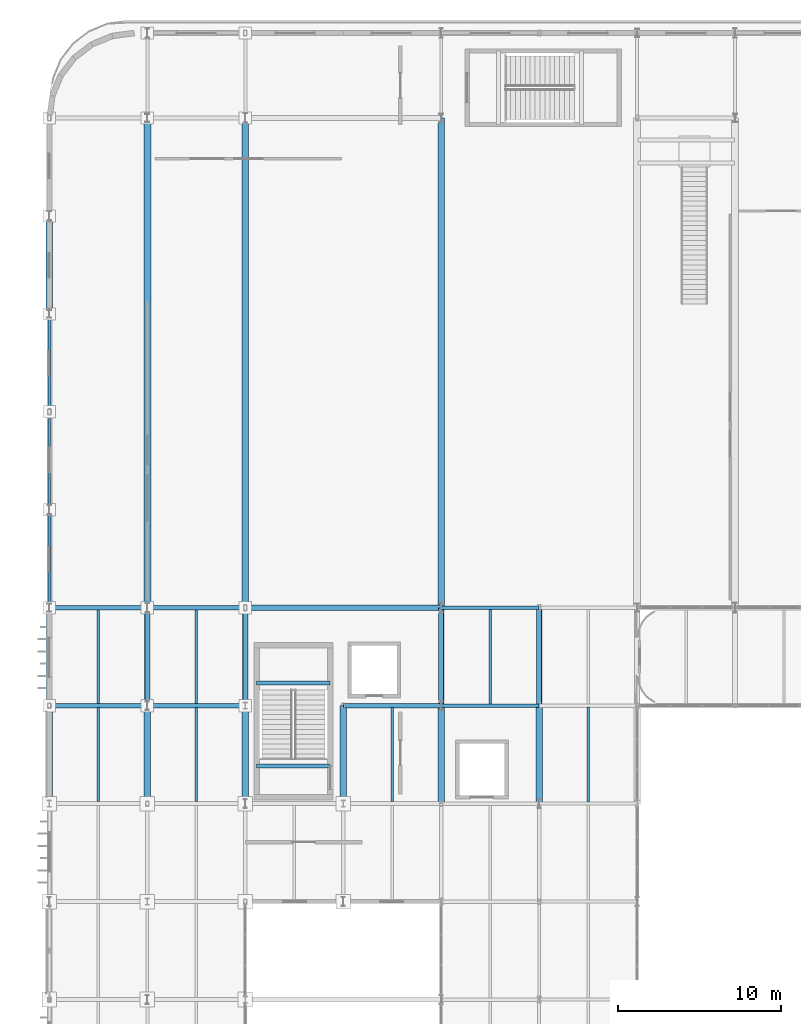
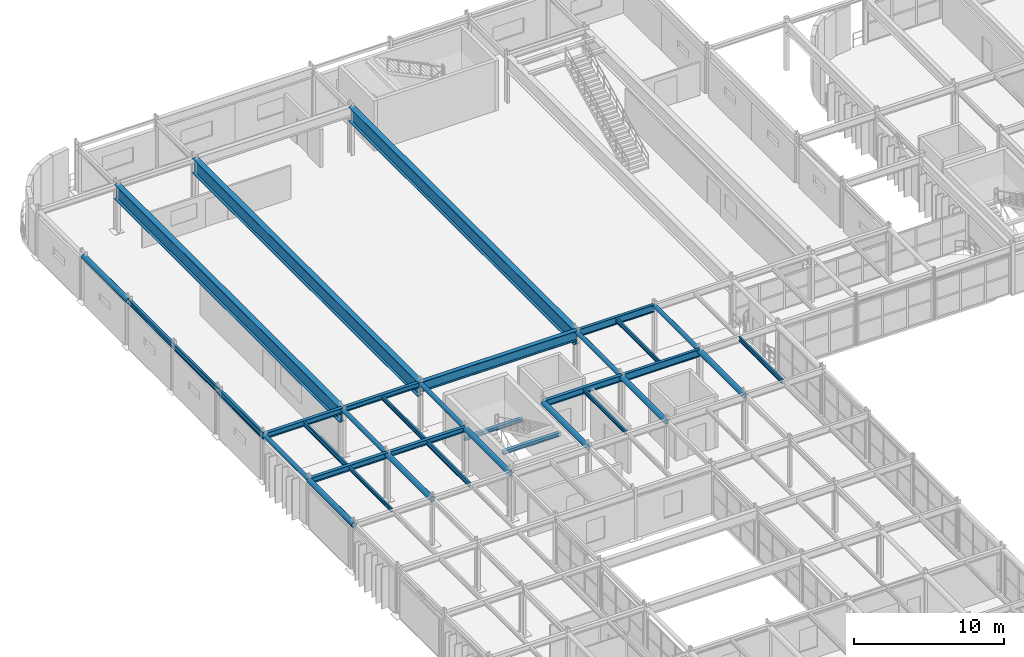
# One storey, part 62 of 116: 35 beams.
"""IFC4 building model written with IfcOpenShell, lengths in metres."""

from ifc_helpers import new_model, si_unit, direction, frame, origin, origin_2d, place, context, subcontext, project, spatial, hollow_circle, i_section, extrude, material, material_profile, profile_set, type_object, element, save


model = new_model("IFC4")

# Units and contexts
model_context = context("Model", 3, precision=1e-05, world=origin(), true_north=direction((0.0, 1.0)))
body_context = subcontext(model_context, "Body", "Model", "MODEL_VIEW")
ifc_project = project(units=[si_unit("LENGTHUNIT", "METRE"), si_unit("AREAUNIT", "SQUARE_METRE"), si_unit("VOLUMEUNIT", "CUBIC_METRE"), si_unit("PLANEANGLEUNIT", "RADIAN"), si_unit("MASSUNIT", "GRAM", prefix="KILO")], contexts=[model_context])

# Site, building, storey
site_placement = place(None, origin())
site = spatial("IfcSite", under=ifc_project, at=site_placement, CompositionType="ELEMENT")
building_placement = place(site_placement, origin())
building = spatial("IfcBuilding", under=site, at=building_placement, Name="Varnakota Square Police Headquarters", CompositionType="ELEMENT")
storey_placement = place(building_placement, frame((0.0, 0.0, 9.300048828125)))
storey = spatial("IfcBuildingStorey", under=building, at=storey_placement, Name="L02", CompositionType="ELEMENT", Elevation=9.300048828125)

# Beams
ifc_material = material(Name="Steel IS 2062 Grade 350", Category="steel")
ifc_material_profile_1 = material_profile(ifc_material, hollow_circle(Radius=0.161865234375, WallThickness=0.0126953125, at=origin_2d()), Name="CHS 323.9x12.7")
ifc_profile_set_1 = profile_set([ifc_material_profile_1], Name="Steel IS 2062 Grade 350")
beam_type_1 = type_object("IfcBeamType", Name="BM-ARC-CHS324", PredefinedType="BEAM", material=ifc_profile_set_1)
for number, where, z_axis, x_axis, name in (
    (1, (6.0, 69.0, 3.738037109375), (0.0, 1.0, 0.0), (-1.0, 0.0, 0.0), "BMG-L02-2112"),
    (2, (12.0, 69.0, 3.738037109375), (0.0, 1.0, 0.0), (-1.0, 0.0, 0.0), "BMG-L02-2129"),
    (3, (18.0, 69.0, 3.738037109375), (0.0, 1.0, 0.0), (-1.0, 0.0, 0.0), "BMG-L02-2143"),
    (4, (30.0, 69.0, 3.738037109375), (0.0, 1.0, 0.0), (-1.0, 0.0, 0.0), "BMG-L02-2165"),
    (5, (36.0, 69.0, 3.738037109375), (0.0, 1.0, 0.0), (-1.0, 0.0, 0.0), "BMG-L02-2179"),
):
    element("IfcBeam", number, at=place(storey_placement, frame(where, z_axis=z_axis, x_axis=x_axis)), inside=storey, type_object=beam_type_1, Name=name, PredefinedType="BEAM", context=body_context, shape_type="SweptSolid", body=[
        extrude(hollow_circle(Radius=0.161865234375, WallThickness=0.0126953125, at=origin_2d()), origin(), (0.0, 0.0, 1.0), 6.0),
    ])
ifc_material_profile_2 = material_profile(ifc_material, hollow_circle(Radius=0.203125, WallThickness=0.01611328125, at=origin_2d()), Name="CHS 406.4x16.0")
ifc_profile_set_2 = profile_set([ifc_material_profile_2], Name="Steel IS 2062 Grade 350")
beam_type_2 = type_object("IfcBeamType", Name="BM-ARC-CHS406", PredefinedType="BEAM", material=ifc_profile_set_2)
for number, where, z_axis, x_axis, name in (
    (6, (6.0, 63.0, 3.69677734375), (0.0, 1.0, 0.0), (-1.0, 0.0, 0.0), "BMG-L02-2111"),
    (7, (6.0, 93.0, 3.69677734375), (0.0, 1.0, 0.0), (-1.0, 0.0, 0.0), "BMG-L02-2116"),
    (8, (12.0, 63.0, 3.69677734375), (0.0, 1.0, 0.0), (-1.0, 0.0, 0.0), "BMG-L02-2128"),
    (9, (18.0, 63.0, 3.69677734375), (0.0, 1.0, 0.0), (-1.0, 0.0, 0.0), "BMG-L02-2142"),
    (10, (24.0, 63.0, 3.69677734375), (0.0, 1.0, 0.0), (-1.0, 0.0, 0.0), "BMG-L02-2153"),
    (11, (30.0, 63.0, 3.69677734375), (0.0, 1.0, 0.0), (-1.0, 0.0, 0.0), "BMG-L02-2164"),
    (12, (36.0, 63.0, 3.69677734375), (0.0, 1.0, 0.0), (-1.0, 0.0, 0.0), "BMG-L02-2178"),
):
    element("IfcBeam", number, at=place(storey_placement, frame(where, z_axis=z_axis, x_axis=x_axis)), inside=storey, type_object=beam_type_2, Name=name, PredefinedType="BEAM", context=body_context, shape_type="SweptSolid", body=[
        extrude(hollow_circle(Radius=0.203125, WallThickness=0.01611328125, at=origin_2d()), origin(), (0.0, 0.0, 1.0), 6.0),
    ])
ifc_material_profile_3 = material_profile(ifc_material, i_section(OverallWidth=0.419921875, OverallDepth=1.199951171875, WebThickness=0.02197265625, FlangeThickness=0.034912109375, at=origin_2d()), Name="BPG 1200x420")
ifc_profile_set_3 = profile_set([ifc_material_profile_3], Name="Steel IS 2062 Grade 350")
beam_type_3 = type_object("IfcBeamType", Name="BM-BPG1200", PredefinedType="BEAM", material=ifc_profile_set_3)
for number, where, z_axis, x_axis, name in (
    (13, (12.0, 75.0, 3.300048828125), (0.0, 1.0, 0.0), (-1.0, 0.0, 0.0), "Clear-span hall girder L02 X=12"),
    (14, (18.0, 75.0, 3.300048828125), (0.0, 1.0, 0.0), (-1.0, 0.0, 0.0), "Clear-span hall girder L02 X=18"),
    (15, (30.0, 75.0, 3.300048828125), (0.0, 1.0, 0.0), (-1.0, 0.0, 0.0), "Clear-span hall girder L02 X=30"),
):
    element("IfcBeam", number, at=place(storey_placement, frame(where, z_axis=z_axis, x_axis=x_axis)), inside=storey, type_object=beam_type_3, Name=name, PredefinedType="BEAM", context=body_context, shape_type="SweptSolid", body=[
        extrude(i_section(OverallWidth=0.419921875, OverallDepth=1.199951171875, WebThickness=0.02197265625, FlangeThickness=0.034912109375, at=origin_2d()), origin(), (0.0, 0.0, 1.0), 30.0),
    ])
ifc_material_profile_4 = material_profile(ifc_material, i_section(OverallWidth=0.320068359375, OverallDepth=0.800048828125, WebThickness=0.01611328125, FlangeThickness=0.028076171875, at=origin_2d()), Name="BPG 800x320")
ifc_profile_set_4 = profile_set([ifc_material_profile_4], Name="Steel IS 2062 Grade 350")
beam_type_4 = type_object("IfcBeamType", Name="BM-BPG800", PredefinedType="BEAM", material=ifc_profile_set_4)
beam_1_placement = place(storey_placement, frame((18.0, 75.0, 3.5), z_axis=(1.0, 0.0, 0.0), x_axis=(0.0, 1.0, 0.0)))
element("IfcBeam", 16, at=beam_1_placement, inside=storey, type_object=beam_type_4, Name="BMG-L02-2030", PredefinedType="BEAM", context=body_context, shape_type="SweptSolid", body=[
    extrude(i_section(OverallWidth=0.320068359375, OverallDepth=0.800048828125, WebThickness=0.01611328125, FlangeThickness=0.028076171875, at=origin_2d()), origin(), (0.0, 0.0, 1.0), 12.0),
])
ifc_material_profile_5 = material_profile(ifc_material, i_section(OverallWidth=0.25, OverallDepth=0.300048828125, WebThickness=0.009521484375, FlangeThickness=0.010498046875, FilletRadius=0.011962890625, at=origin_2d()), Name="ISHB 300")
ifc_profile_set_5 = profile_set([ifc_material_profile_5], Name="Steel IS 2062 Grade 350")
beam_type_5 = type_object("IfcBeamType", Name="BM-ISHB300", PredefinedType="BEAM", material=ifc_profile_set_5)
for number, where, z_axis, x_axis, name in (
    (17, (18.699951171875, 70.400634765625, 1.7919921875), (1.0, 0.0, 0.0), (0.0, 1.0, 0.0), "Stair landing support beam BM-LND-0063"),
    (18, (18.699951171875, 65.300048828125, 3.75), (1.0, 0.0, 0.0), (0.0, 1.0, 0.0), "Stair landing support beam BM-LND-0064"),
):
    element("IfcBeam", number, at=place(storey_placement, frame(where, z_axis=z_axis, x_axis=x_axis)), inside=storey, type_object=beam_type_5, Name=name, PredefinedType="BEAM", context=body_context, shape_type="SweptSolid", body=[
        extrude(i_section(OverallWidth=0.25, OverallDepth=0.300048828125, WebThickness=0.009521484375, FlangeThickness=0.010498046875, FilletRadius=0.011962890625, at=origin_2d()), origin(), (0.0, 0.0, 1.0), 4.5),
    ])
ifc_material_profile_6 = material_profile(ifc_material, i_section(OverallWidth=0.25, OverallDepth=0.39990234375, WebThickness=0.010498046875, FlangeThickness=0.0126953125, FilletRadius=0.013916015625, at=origin_2d()), Name="ISHB 400")
ifc_profile_set_6 = profile_set([ifc_material_profile_6], Name="Steel IS 2062 Grade 350")
beam_type_6 = type_object("IfcBeamType", Name="BM-ISHB400", PredefinedType="BEAM", material=ifc_profile_set_6)
for number, where, z_axis, x_axis, name in (
    (19, (12.0, 69.0, 3.699951171875), (1.0, 0.0, 0.0), (0.0, 1.0, 0.0), "BMG-L02-2007"),
    (20, (12.0, 75.0, 3.699951171875), (1.0, 0.0, 0.0), (0.0, 1.0, 0.0), "BMG-L02-2029"),
):
    element("IfcBeam", number, at=place(storey_placement, frame(where, z_axis=z_axis, x_axis=x_axis)), inside=storey, type_object=beam_type_6, Name=name, PredefinedType="BEAM", context=body_context, shape_type="SweptSolid", body=[
        extrude(i_section(OverallWidth=0.25, OverallDepth=0.39990234375, WebThickness=0.010498046875, FlangeThickness=0.0126953125, FilletRadius=0.013916015625, at=origin_2d()), origin(), (0.0, 0.0, 1.0), 6.0),
    ])
ifc_material_profile_7 = material_profile(ifc_material, i_section(OverallWidth=0.25, OverallDepth=0.449951171875, WebThickness=0.01123046875, FlangeThickness=0.013671875, FilletRadius=0.014892578125, at=origin_2d()), Name="ISHB 450")
ifc_profile_set_7 = profile_set([ifc_material_profile_7], Name="Steel IS 2062 Grade 350")
beam_type_7 = type_object("IfcBeamType", Name="BM-ISHB450", PredefinedType="BEAM", material=ifc_profile_set_7)
for number, where, z_axis, x_axis, name in (
    (21, (6.0, 69.0, 3.675048828125), (1.0, 0.0, 0.0), (0.0, 1.0, 0.0), "BMG-L02-2006"),
    (22, (6.0, 75.0, 3.675048828125), (1.0, 0.0, 0.0), (0.0, 1.0, 0.0), "BMG-L02-2028"),
):
    element("IfcBeam", number, at=place(storey_placement, frame(where, z_axis=z_axis, x_axis=x_axis)), inside=storey, type_object=beam_type_7, Name=name, PredefinedType="BEAM", context=body_context, shape_type="SweptSolid", body=[
        extrude(i_section(OverallWidth=0.25, OverallDepth=0.449951171875, WebThickness=0.01123046875, FlangeThickness=0.013671875, FilletRadius=0.014892578125, at=origin_2d()), origin(), (0.0, 0.0, 1.0), 6.0),
    ])
ifc_material_profile_8 = material_profile(ifc_material, i_section(OverallWidth=0.139892578125, OverallDepth=0.300048828125, WebThickness=0.0078125, FlangeThickness=0.01318359375, FilletRadius=0.013916015625, at=origin_2d()), Name="ISMB 300")
ifc_profile_set_8 = profile_set([ifc_material_profile_8], Name="Steel IS 2062 Grade 350")
beam_type_8 = type_object("IfcBeamType", Name="BM-ISMB300", PredefinedType="JOIST", material=ifc_profile_set_8)
for number, where, z_axis, x_axis, name in (
    (23, (9.0, 63.123046875, 3.75), (0.0, 1.0, 0.0), (-1.0, 0.0, 0.0), "BMG-L02-2317"),
    (24, (27.0, 63.123046875, 3.75), (0.0, 1.0, 0.0), (-1.0, 0.0, 0.0), "BMG-L02-2344"),
):
    element("IfcBeam", number, at=place(storey_placement, frame(where, z_axis=z_axis, x_axis=x_axis)), inside=storey, type_object=beam_type_8, Name=name, PredefinedType="JOIST", context=body_context, shape_type="SweptSolid", body=[
        extrude(i_section(OverallWidth=0.139892578125, OverallDepth=0.300048828125, WebThickness=0.0078125, FlangeThickness=0.01318359375, FilletRadius=0.013916015625, at=origin_2d()), origin(), (0.0, 0.0, 1.0), 5.75390625),
    ])
ifc_material_profile_9 = material_profile(ifc_material, i_section(OverallWidth=0.139892578125, OverallDepth=0.35009765625, WebThickness=0.008056640625, FlangeThickness=0.01416015625, FilletRadius=0.013916015625, at=origin_2d()), Name="ISMB 350")
ifc_profile_set_9 = profile_set([ifc_material_profile_9], Name="Steel IS 2062 Grade 350")
beam_type_9 = type_object("IfcBeamType", Name="BM-ISMB350", PredefinedType="JOIST", material=ifc_profile_set_9)
beam_2_placement = place(storey_placement, frame((15.0, 69.123046875, 3.724853515625), z_axis=(0.0, 1.0, 0.0), x_axis=(-1.0, 0.0, 0.0)))
element("IfcBeam", 25, at=beam_2_placement, inside=storey, type_object=beam_type_9, Name="BMG-L02-2329", PredefinedType="JOIST", context=body_context, shape_type="SweptSolid", body=[
    extrude(i_section(OverallWidth=0.139892578125, OverallDepth=0.35009765625, WebThickness=0.008056640625, FlangeThickness=0.01416015625, FilletRadius=0.013916015625, at=origin_2d()), origin(), (0.0, 0.0, 1.0), 5.75390625),
])
beam_3_placement = place(storey_placement, frame((33.0, 69.10302734375, 3.724853515625), z_axis=(0.0, 1.0, 0.0), x_axis=(-1.0, 0.0, 0.0)))
element("IfcBeam", 26, at=beam_3_placement, inside=storey, type_object=beam_type_9, Name="BMG-L02-2355", PredefinedType="JOIST", context=body_context, shape_type="SweptSolid", body=[
    extrude(i_section(OverallWidth=0.139892578125, OverallDepth=0.35009765625, WebThickness=0.008056640625, FlangeThickness=0.01416015625, FilletRadius=0.013916015625, at=origin_2d()), origin(), (0.0, 0.0, 1.0), 5.7939453125),
])
beam_4_placement = place(storey_placement, frame((39.0, 63.093017578125, 3.724853515625), z_axis=(0.0, 1.0, 0.0), x_axis=(-1.0, 0.0, 0.0)))
element("IfcBeam", 27, at=beam_4_placement, inside=storey, type_object=beam_type_9, Name="BMG-L02-2366", PredefinedType="JOIST", context=body_context, shape_type="SweptSolid", body=[
    extrude(i_section(OverallWidth=0.139892578125, OverallDepth=0.35009765625, WebThickness=0.008056640625, FlangeThickness=0.01416015625, FilletRadius=0.013916015625, at=origin_2d()), origin(), (0.0, 0.0, 1.0), 5.81396484375),
])
ifc_material_profile_10 = material_profile(ifc_material, i_section(OverallWidth=0.139892578125, OverallDepth=0.39990234375, WebThickness=0.0087890625, FlangeThickness=0.01611328125, FilletRadius=0.013916015625, at=origin_2d()), Name="ISMB 400")
ifc_profile_set_10 = profile_set([ifc_material_profile_10], Name="Steel IS 2062 Grade 350")
beam_type_10 = type_object("IfcBeamType", Name="BM-ISMB400", PredefinedType="JOIST", material=ifc_profile_set_10)
for number, where, z_axis, x_axis, name in (
    (28, (9.0, 69.123046875, 3.699951171875), (0.0, 1.0, 0.0), (-1.0, 0.0, 0.0), "BMG-L02-2318"),
    (29, (15.0, 63.123046875, 3.699951171875), (0.0, 1.0, 0.0), (-1.0, 0.0, 0.0), "BMG-L02-2328"),
):
    element("IfcBeam", number, at=place(storey_placement, frame(where, z_axis=z_axis, x_axis=x_axis)), inside=storey, type_object=beam_type_10, Name=name, PredefinedType="JOIST", context=body_context, shape_type="SweptSolid", body=[
        extrude(i_section(OverallWidth=0.139892578125, OverallDepth=0.39990234375, WebThickness=0.0087890625, FlangeThickness=0.01611328125, FilletRadius=0.013916015625, at=origin_2d()), origin(), (0.0, 0.0, 1.0), 5.75390625),
    ])
ifc_material_profile_11 = material_profile(ifc_material, i_section(OverallWidth=0.14990234375, OverallDepth=0.449951171875, WebThickness=0.009521484375, FlangeThickness=0.017333984375, FilletRadius=0.014892578125, at=origin_2d()), Name="ISMB 450")
ifc_profile_set_11 = profile_set([ifc_material_profile_11], Name="Steel IS 2062 Grade 350")
beam_type_11 = type_object("IfcBeamType", Name="BM-ISMB450", PredefinedType="BEAM", material=ifc_profile_set_11)
beam_5_placement = place(storey_placement, frame((6.0, 81.0, 3.675048828125), z_axis=(0.0, 1.0, 0.0), x_axis=(-1.0, 0.0, 0.0)))
element("IfcBeam", 30, at=beam_5_placement, inside=storey, type_object=beam_type_11, Name="BMG-L02-2114", PredefinedType="BEAM", context=body_context, shape_type="SweptSolid", body=[
    extrude(i_section(OverallWidth=0.14990234375, OverallDepth=0.449951171875, WebThickness=0.009521484375, FlangeThickness=0.017333984375, FilletRadius=0.014892578125, at=origin_2d()), origin(), (0.0, 0.0, 1.0), 6.0),
])
ifc_material_profile_12 = material_profile(ifc_material, i_section(OverallWidth=0.179931640625, OverallDepth=0.5, WebThickness=0.01025390625, FlangeThickness=0.01708984375, FilletRadius=0.01708984375, at=origin_2d()), Name="ISMB 500")
ifc_profile_set_12 = profile_set([ifc_material_profile_12], Name="Steel IS 2062 Grade 350")
beam_type_12 = type_object("IfcBeamType", Name="BM-ISMB500", PredefinedType="BEAM", material=ifc_profile_set_12)
beam_6_placement = place(storey_placement, frame((6.0, 75.0, 3.64990234375), z_axis=(0.0, 1.0, 0.0), x_axis=(-1.0, 0.0, 0.0)))
element("IfcBeam", 31, at=beam_6_placement, inside=storey, type_object=beam_type_12, Name="BMG-L02-2113", PredefinedType="BEAM", context=body_context, shape_type="SweptSolid", body=[
    extrude(i_section(OverallWidth=0.179931640625, OverallDepth=0.5, WebThickness=0.01025390625, FlangeThickness=0.01708984375, FilletRadius=0.01708984375, at=origin_2d()), origin(), (0.0, 0.0, 1.0), 6.0),
])
ifc_material_profile_13 = material_profile(ifc_material, i_section(OverallWidth=0.2099609375, OverallDepth=0.60009765625, WebThickness=0.011962890625, FlangeThickness=0.020751953125, FilletRadius=0.02001953125, at=origin_2d()), Name="ISMB 600")
ifc_profile_set_13 = profile_set([ifc_material_profile_13], Name="Steel IS 2062 Grade 350")
beam_type_13 = type_object("IfcBeamType", Name="BM-ISMB600", PredefinedType="BEAM", material=ifc_profile_set_13)
for number, where, z_axis, x_axis, name in (
    (32, (30.0, 69.0, 3.599853515625), (1.0, 0.0, 0.0), (0.0, 1.0, 0.0), "BMG-L02-2009"),
    (33, (30.0, 75.0, 3.599853515625), (1.0, 0.0, 0.0), (0.0, 1.0, 0.0), "BMG-L02-2031"),
):
    element("IfcBeam", number, at=place(storey_placement, frame(where, z_axis=z_axis, x_axis=x_axis)), inside=storey, type_object=beam_type_13, Name=name, PredefinedType="BEAM", context=body_context, shape_type="SweptSolid", body=[
        extrude(i_section(OverallWidth=0.2099609375, OverallDepth=0.60009765625, WebThickness=0.011962890625, FlangeThickness=0.020751953125, FilletRadius=0.02001953125, at=origin_2d()), origin(), (0.0, 0.0, 1.0), 6.0),
    ])
ifc_material_profile_14 = material_profile(ifc_material, i_section(OverallWidth=0.199951171875, OverallDepth=0.39990234375, WebThickness=0.008544921875, FlangeThickness=0.012939453125, FilletRadius=0.012939453125, at=origin_2d()), Name="ISWB 400")
ifc_profile_set_14 = profile_set([ifc_material_profile_14], Name="Steel IS 2062 Grade 350")
beam_type_14 = type_object("IfcBeamType", Name="BM-ISWB400", PredefinedType="BEAM", material=ifc_profile_set_14)
beam_7_placement = place(storey_placement, frame((6.0, 87.0, 3.699951171875), z_axis=(0.0, 1.0, 0.0), x_axis=(-1.0, 0.0, 0.0)))
element("IfcBeam", 34, at=beam_7_placement, inside=storey, type_object=beam_type_14, Name="BMG-L02-2115", PredefinedType="BEAM", context=body_context, shape_type="SweptSolid", body=[
    extrude(i_section(OverallWidth=0.199951171875, OverallDepth=0.39990234375, WebThickness=0.008544921875, FlangeThickness=0.012939453125, FilletRadius=0.012939453125, at=origin_2d()), origin(), (0.0, 0.0, 1.0), 6.0),
])
ifc_material_profile_15 = material_profile(ifc_material, i_section(OverallWidth=0.25, OverallDepth=0.5, WebThickness=0.010009765625, FlangeThickness=0.0146484375, FilletRadius=0.014892578125, at=origin_2d()), Name="ISWB 500")
ifc_profile_set_15 = profile_set([ifc_material_profile_15], Name="Steel IS 2062 Grade 350")
beam_type_15 = type_object("IfcBeamType", Name="BM-ISWB500", PredefinedType="BEAM", material=ifc_profile_set_15)
beam_8_placement = place(storey_placement, frame((24.0, 69.0, 3.64990234375), z_axis=(1.0, 0.0, 0.0), x_axis=(0.0, 1.0, 0.0)))
element("IfcBeam", 35, at=beam_8_placement, inside=storey, type_object=beam_type_15, Name="BMG-L02-2008", PredefinedType="BEAM", context=body_context, shape_type="SweptSolid", body=[
    extrude(i_section(OverallWidth=0.25, OverallDepth=0.5, WebThickness=0.010009765625, FlangeThickness=0.0146484375, FilletRadius=0.014892578125, at=origin_2d()), origin(), (0.0, 0.0, 1.0), 6.0),
])

save(model, "model.ifc")
